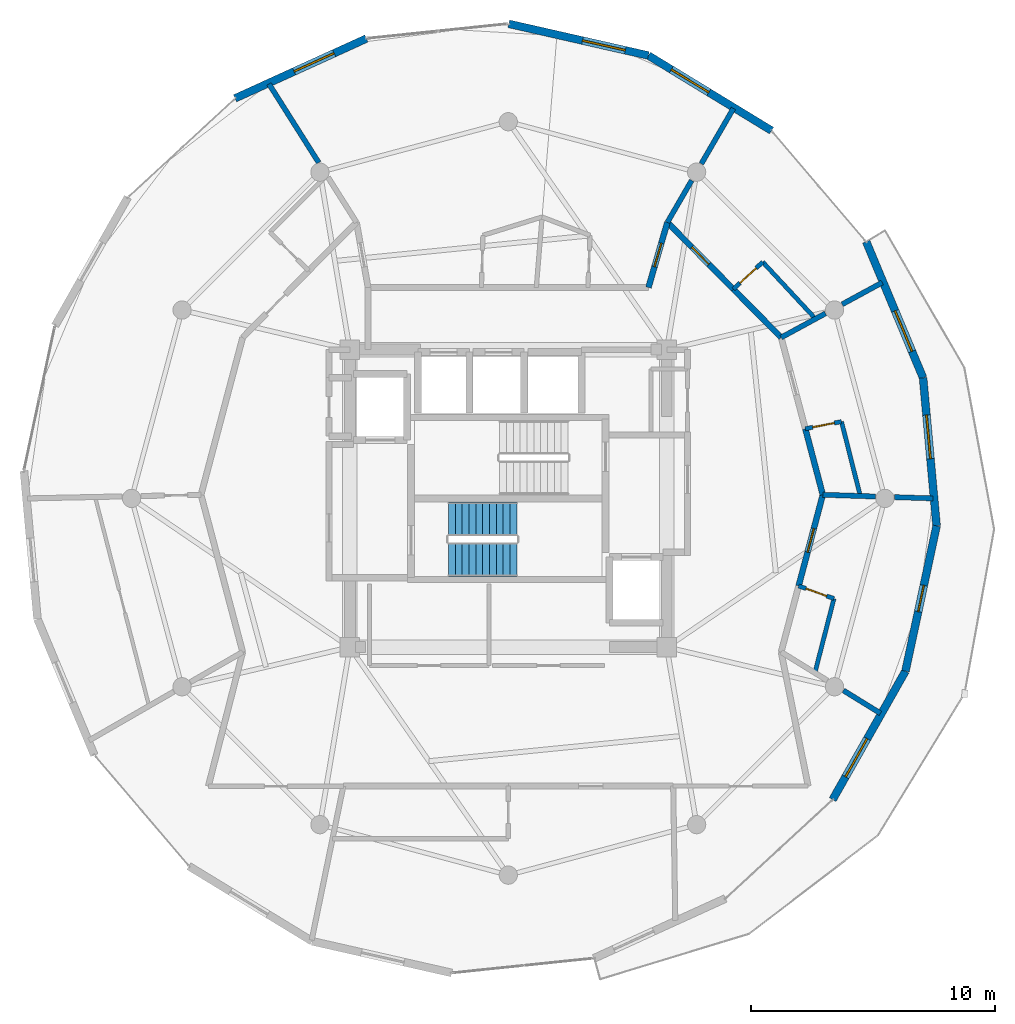
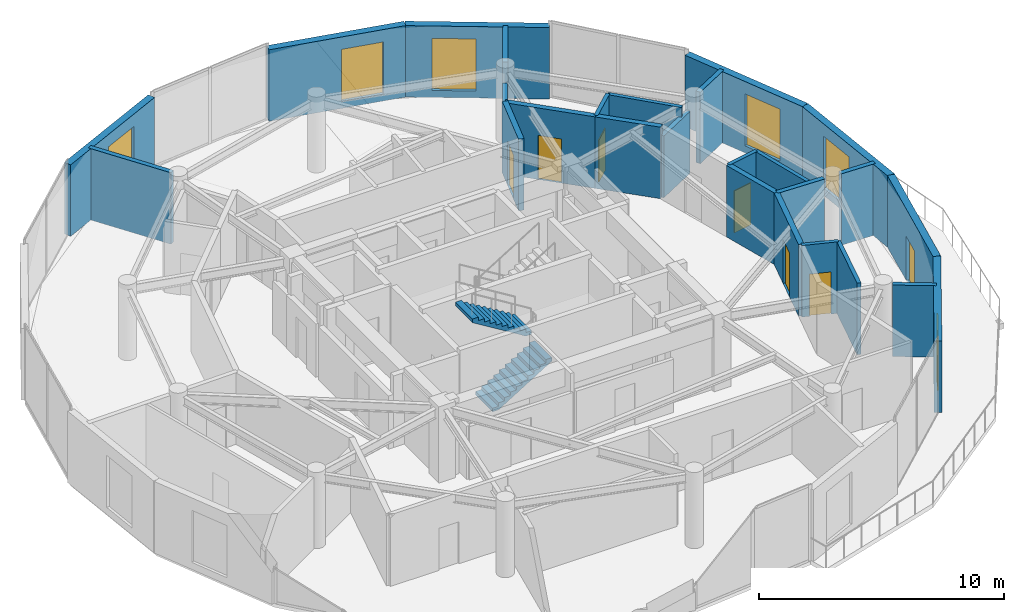
# One storey, part 19 of 22: 26 walls, 7 doors, 6 windows, 2 stair flights, 13 openings, 1 element without a shape of its own.
"""IFC4 building model written with IfcOpenShell, lengths in metres."""

from ifc_helpers import new_model, si_unit, direction, frame, frame_2d, origin, place, context, subcontext, project, spatial, polyline, rectangle, outline, extrude, material, layer, layer_set, type_object, element, fill, aggregate, save


model = new_model("IFC4")

# Units and contexts
model_context = context("Model", 3, precision=1e-05, world=origin(), true_north=direction((0.0, 1.0)))
body_context = subcontext(model_context, "Body", "Model", "MODEL_VIEW")
ifc_project = project(units=[si_unit("LENGTHUNIT", "METRE"), si_unit("AREAUNIT", "SQUARE_METRE"), si_unit("VOLUMEUNIT", "CUBIC_METRE"), si_unit("PLANEANGLEUNIT", "RADIAN"), si_unit("MASSUNIT", "GRAM", prefix="KILO")], contexts=[model_context])

# Site, building, storey
site_placement = place(None, origin())
site = spatial("IfcSite", under=ifc_project, at=site_placement, CompositionType="ELEMENT")
building_placement = place(site_placement, origin())
building = spatial("IfcBuilding", under=site, at=building_placement, Name="Solvirekh Grand Hotel", CompositionType="ELEMENT")
storey_placement = place(building_placement, frame((0.0, 0.0, 289.60009765625)))
storey = spatial("IfcBuildingStorey", under=building, at=storey_placement, Name="L75", CompositionType="ELEMENT", Elevation=289.60009765625)

# Wall, opening, window
ifc_material_1 = material(Name="Precast concrete C45/55", Category="concrete")
ifc_layer_1 = layer(ifc_material_1, 0.320068359375)
ifc_layer_set_1 = layer_set([ifc_layer_1], Name="Precast concrete C45/55")
wall_type_1 = type_object("IfcWallType", Name="ExtLobbyWall_RC320", PredefinedType="SOLIDWALL", material=ifc_layer_set_1)
wall_1_placement = place(storey_placement, frame((16.2890625, -7.0849609375, 0.0), z_axis=(0.0, 0.0, 1.0), x_axis=(-0.493134681356, -0.869952979214, 0.0)))
wall_1 = element("IfcWall", 1, at=wall_1_placement, inside=storey, type_object=wall_type_1, Name="L75 exterior structural wall chord 4", PredefinedType="SOLIDWALL", context=body_context, shape_type="SweptSolid", body=[
    extrude(rectangle(XDim=6.05322265625, YDim=0.320068359375, at=frame_2d((3.026611328125, 0.0))), origin(), (0.0, 0.0, 1.0), 3.56982421875),
])
opening_1_placement = place(wall_1_placement, frame((3.180908203125, 0.0, 0.35009765625)))
opening_1 = element("IfcOpeningElement", 2, at=opening_1_placement, cuts=wall_1, Name="Opening W02", PredefinedType="OPENING", context=body_context, shape_type="SweptSolid", body=[
    extrude(rectangle(XDim=1.800048828125, YDim=2.60009765625, at=frame_2d((0.89990234375, 1.300048828125))), frame((0.0, 0.169921875, 0.0), z_axis=(0.0, -1.0, 0.0), x_axis=(1.0, 0.0, 0.0)), (0.0, 0.0, 1.0), 0.340087890625),
])
ifc_material_2 = material(Name="Low-E Tinted Bronze Laminated Glass", Category="aluminium")
window_type = type_object("IfcWindowType", Name="Win_LobbyExt_1800X2600", PartitioningType="SINGLE_PANEL", PredefinedType="WINDOW", material=ifc_material_2)
window_1_placement = place(opening_1_placement, origin())
window_1 = element("IfcWindow", 3, at=window_1_placement, inside=storey, type_object=window_type, Name="L75 panoramic bronze-framed window 4", OverallHeight=2.60009765625, OverallWidth=1.800048828125, PartitioningType="SINGLE_PANEL", PredefinedType="WINDOW", context=body_context, shape_type="SweptSolid", body=[
    extrude(rectangle(XDim=1.800048828125, YDim=2.60009765625, at=frame_2d((0.89990234375, 1.300048828125))), frame((0.0, 0.030029296875, 0.0), z_axis=(0.0, -1.0, 0.0), x_axis=(1.0, 0.0, 0.0)), (0.0, 0.0, 1.0), 0.06005859375),
])
fill(opening_1, window_1)

# Wall, opening, door
wall_2_placement = place(storey_placement, frame((17.56591796875, -1.125, 0.0), z_axis=(0.0, 0.0, 1.0), x_axis=(-0.209485321593, -0.977811791725, 0.0)))
wall_2 = element("IfcWall", 4, at=wall_2_placement, inside=storey, type_object=wall_type_1, Name="L75 exterior structural wall chord 5", PredefinedType="SOLIDWALL", context=body_context, shape_type="SweptSolid", body=[
    extrude(rectangle(XDim=6.09521484375, YDim=0.320068359375, at=frame_2d((3.047607421875, 0.0))), origin(), (0.0, 0.0, 1.0), 3.56982421875),
])
opening_2_placement = place(wall_2_placement, frame((2.498046875, 0.0, 0.0)))
opening_2 = element("IfcOpeningElement", 5, at=opening_2_placement, cuts=wall_2, Name="Opening D03", PredefinedType="OPENING", context=body_context, shape_type="SweptSolid", body=[
    extrude(rectangle(XDim=1.10009765625, YDim=2.199951171875, at=frame_2d((0.550048828125, 1.10009765625))), frame((0.0, 0.169921875, 0.0), z_axis=(0.0, -1.0, 0.0), x_axis=(1.0, 0.0, 0.0)), (0.0, 0.0, 1.0), 0.340087890625),
])
ifc_material_3 = material(Name="Anodized Bronze Aluminium 6063-T6", Category="aluminium")
door_type_1 = type_object("IfcDoorType", Name="Door_ExtBalcony_1100X2200", OperationType="NOTDEFINED", PredefinedType="DOOR", material=ifc_material_3)
door_1_placement = place(opening_2_placement, origin())
door_1 = element("IfcDoor", 6, at=door_1_placement, inside=storey, type_object=door_type_1, Name="L75 Crescent balcony glazed door (5)", OperationType="SINGLE_SWING_LEFT", OverallHeight=2.199951171875, OverallWidth=1.10009765625, PredefinedType="DOOR", context=body_context, shape_type="SweptSolid", body=[
    extrude(rectangle(XDim=1.10009765625, YDim=2.199951171875, at=frame_2d((0.550048828125, 1.10009765625))), frame((0.0, 0.02490234375, 0.0), z_axis=(0.0, -1.0, 0.0), x_axis=(1.0, 0.0, 0.0)), (0.0, 0.0, 1.0), 0.050048828125),
])
fill(opening_2, door_1)

# Wall, opening, window
wall_3_placement = place(storey_placement, frame((17.011962890625, 4.945068359375, 0.0), z_axis=(0.0, 0.0, 1.0), x_axis=(0.090882437135, -0.99586162825, 0.0)))
wall_3 = element("IfcWall", 7, at=wall_3_placement, inside=storey, type_object=wall_type_1, Name="L75 exterior structural wall chord 6", PredefinedType="SOLIDWALL", context=body_context, shape_type="SweptSolid", body=[
    extrude(rectangle(XDim=6.09521484375, YDim=0.320068359375, at=frame_2d((3.047607421875, 0.0))), origin(), (0.0, 0.0, 1.0), 3.56982421875),
])
opening_3_placement = place(wall_3_placement, frame((1.531005859375, 0.0, 0.35009765625)))
opening_3 = element("IfcOpeningElement", 8, at=opening_3_placement, cuts=wall_3, Name="Opening W02", PredefinedType="OPENING", context=body_context, shape_type="SweptSolid", body=[
    extrude(rectangle(XDim=1.800048828125, YDim=2.60009765625, at=frame_2d((0.89990234375, 1.300048828125))), frame((0.0, 0.169921875, 0.0), z_axis=(0.0, -1.0, 0.0), x_axis=(1.0, 0.0, 0.0)), (0.0, 0.0, 1.0), 0.340087890625),
])
window_2_placement = place(opening_3_placement, origin())
window_2 = element("IfcWindow", 9, at=window_2_placement, inside=storey, type_object=window_type, Name="L75 panoramic bronze-framed window 6", OverallHeight=2.60009765625, OverallWidth=1.800048828125, PartitioningType="SINGLE_PANEL", PredefinedType="WINDOW", context=body_context, shape_type="SweptSolid", body=[
    extrude(rectangle(XDim=1.800048828125, YDim=2.60009765625, at=frame_2d((0.89990234375, 1.300048828125))), frame((0.0, 0.030029296875, 0.0), z_axis=(0.0, -1.0, 0.0), x_axis=(1.0, 0.0, 0.0)), (0.0, 0.0, 1.0), 0.06005859375),
])
fill(opening_3, window_2)

wall_4_placement = place(storey_placement, frame((14.678955078125, 10.531005859375, 0.0), z_axis=(0.0, 0.0, 1.0), x_axis=(0.385394166941, -0.922752044749, 0.0)))
wall_4 = element("IfcWall", 10, at=wall_4_placement, inside=storey, type_object=wall_type_1, Name="L75 exterior structural wall chord 7", PredefinedType="SOLIDWALL", context=body_context, shape_type="SweptSolid", body=[
    extrude(rectangle(XDim=6.053466796875, YDim=0.320068359375, at=frame_2d((3.02685546875, 0.0))), origin(), (0.0, 0.0, 1.0), 3.56982421875),
])
opening_4_placement = place(wall_4_placement, frame((3.076904296875, 0.0, 0.35009765625)))
opening_4 = element("IfcOpeningElement", 11, at=opening_4_placement, cuts=wall_4, Name="Opening W02", PredefinedType="OPENING", context=body_context, shape_type="SweptSolid", body=[
    extrude(rectangle(XDim=1.800048828125, YDim=2.60009765625, at=frame_2d((0.89990234375, 1.300048828125))), frame((0.0, 0.169921875, 0.0), z_axis=(0.0, -1.0, 0.0), x_axis=(1.0, 0.0, 0.0)), (0.0, 0.0, 1.0), 0.340087890625),
])
window_3_placement = place(opening_4_placement, origin())
window_3 = element("IfcWindow", 12, at=window_3_placement, inside=storey, type_object=window_type, Name="L75 panoramic bronze-framed window 7", OverallHeight=2.60009765625, OverallWidth=1.800048828125, PartitioningType="SINGLE_PANEL", PredefinedType="WINDOW", context=body_context, shape_type="SweptSolid", body=[
    extrude(rectangle(XDim=1.800048828125, YDim=2.60009765625, at=frame_2d((0.89990234375, 1.300048828125))), frame((0.0, 0.030029296875, 0.0), z_axis=(0.0, -1.0, 0.0), x_axis=(1.0, 0.0, 0.0)), (0.0, 0.0, 1.0), 0.06005859375),
])
fill(opening_4, window_3)

wall_5_placement = place(storey_placement, frame((5.74609375, 18.1650390625, 0.0), z_axis=(0.0, 0.0, 1.0), x_axis=(0.853900395315, -0.520436465748, 0.0)))
wall_5 = element("IfcWall", 13, at=wall_5_placement, inside=storey, type_object=wall_type_1, Name="L75 exterior structural wall chord 9", PredefinedType="SOLIDWALL", context=body_context, shape_type="SweptSolid", body=[
    extrude(rectangle(XDim=5.91650390625, YDim=0.320068359375, at=frame_2d((2.958251953125, 0.0))), origin(), (0.0, 0.0, 1.0), 3.56982421875),
])
opening_5_placement = place(wall_5_placement, frame((1.10400390625, 0.0, 0.35009765625)))
opening_5 = element("IfcOpeningElement", 14, at=opening_5_placement, cuts=wall_5, Name="Opening W02", PredefinedType="OPENING", context=body_context, shape_type="SweptSolid", body=[
    extrude(rectangle(XDim=1.800048828125, YDim=2.60009765625, at=frame_2d((0.89990234375, 1.300048828125))), frame((0.0, 0.169921875, 0.0), z_axis=(0.0, -1.0, 0.0), x_axis=(1.0, 0.0, 0.0)), (0.0, 0.0, 1.0), 0.340087890625),
])
window_4_placement = place(opening_5_placement, origin())
window_4 = element("IfcWindow", 15, at=window_4_placement, inside=storey, type_object=window_type, Name="L75 panoramic bronze-framed window 9", OverallHeight=2.60009765625, OverallWidth=1.800048828125, PartitioningType="SINGLE_PANEL", PredefinedType="WINDOW", context=body_context, shape_type="SweptSolid", body=[
    extrude(rectangle(XDim=1.800048828125, YDim=2.60009765625, at=frame_2d((0.89990234375, 1.300048828125))), frame((0.0, 0.030029296875, 0.0), z_axis=(0.0, -1.0, 0.0), x_axis=(1.0, 0.0, 0.0)), (0.0, 0.0, 1.0), 0.06005859375),
])
fill(opening_5, window_4)

wall_6_placement = place(storey_placement, frame((0.02001953125, 19.465087890625, 0.0), z_axis=(0.0, 0.0, 1.0), x_axis=(0.975181843915, -0.221405445504, 0.0)))
wall_6 = element("IfcWall", 16, at=wall_6_placement, inside=storey, type_object=wall_type_1, Name="L75 exterior structural wall chord 10", PredefinedType="SOLIDWALL", context=body_context, shape_type="SweptSolid", body=[
    extrude(rectangle(XDim=5.871826171875, YDim=0.320068359375, at=frame_2d((2.93603515625, 0.0))), origin(), (0.0, 0.0, 1.0), 3.56982421875),
])
opening_6_placement = place(wall_6_placement, frame((3.10205078125, 0.0, 0.35009765625)))
opening_6 = element("IfcOpeningElement", 17, at=opening_6_placement, cuts=wall_6, Name="Opening W02", PredefinedType="OPENING", context=body_context, shape_type="SweptSolid", body=[
    extrude(rectangle(XDim=1.800048828125, YDim=2.60009765625, at=frame_2d((0.89990234375, 1.300048828125))), frame((0.0, 0.169921875, 0.0), z_axis=(0.0, -1.0, 0.0), x_axis=(1.0, 0.0, 0.0)), (0.0, 0.0, 1.0), 0.340087890625),
])
window_5_placement = place(opening_6_placement, origin())
window_5 = element("IfcWindow", 18, at=window_5_placement, inside=storey, type_object=window_type, Name="L75 panoramic bronze-framed window 10", OverallHeight=2.60009765625, OverallWidth=1.800048828125, PartitioningType="SINGLE_PANEL", PredefinedType="WINDOW", context=body_context, shape_type="SweptSolid", body=[
    extrude(rectangle(XDim=1.800048828125, YDim=2.60009765625, at=frame_2d((0.89990234375, 1.300048828125))), frame((0.0, 0.030029296875, 0.0), z_axis=(0.0, -1.0, 0.0), x_axis=(1.0, 0.0, 0.0)), (0.0, 0.0, 1.0), 0.06005859375),
])
fill(opening_6, window_5)

wall_7_placement = place(storey_placement, frame((-11.205078125, 16.408935546875, 0.0), z_axis=(0.0, 0.0, 1.0), x_axis=(0.910118979779, 0.414347007526, 0.0)))
wall_7 = element("IfcWall", 19, at=wall_7_placement, inside=storey, type_object=wall_type_1, Name="L75 exterior structural wall chord 12", PredefinedType="SOLIDWALL", context=body_context, shape_type="SweptSolid", body=[
    extrude(rectangle(XDim=5.915771484375, YDim=0.320068359375, at=frame_2d((2.9580078125, 0.0))), origin(), (0.0, 0.0, 1.0), 3.56982421875),
])
opening_7_placement = place(wall_7_placement, frame((2.6640625, 0.0, 0.35009765625)))
opening_7 = element("IfcOpeningElement", 20, at=opening_7_placement, cuts=wall_7, Name="Opening W02", PredefinedType="OPENING", context=body_context, shape_type="SweptSolid", body=[
    extrude(rectangle(XDim=1.800048828125, YDim=2.60009765625, at=frame_2d((0.89990234375, 1.300048828125))), frame((0.0, 0.169921875, 0.0), z_axis=(0.0, -1.0, 0.0), x_axis=(1.0, 0.0, 0.0)), (0.0, 0.0, 1.0), 0.340087890625),
])
window_6_placement = place(opening_7_placement, origin())
window_6 = element("IfcWindow", 21, at=window_6_placement, inside=storey, type_object=window_type, Name="L75 panoramic bronze-framed window 12", OverallHeight=2.60009765625, OverallWidth=1.800048828125, PartitioningType="SINGLE_PANEL", PredefinedType="WINDOW", context=body_context, shape_type="SweptSolid", body=[
    extrude(rectangle(XDim=1.800048828125, YDim=2.60009765625, at=frame_2d((0.89990234375, 1.300048828125))), frame((0.0, 0.030029296875, 0.0), z_axis=(0.0, -1.0, 0.0), x_axis=(1.0, 0.0, 0.0)), (0.0, 0.0, 1.0), 0.06005859375),
])
fill(opening_7, window_6)

# Wall, opening, door
ifc_material_4 = material(Name="Acoustic Gypsum Partition Assembly")
ifc_layer_2 = layer(ifc_material_4, 0.239990234375)
ifc_layer_set_2 = layer_set([ifc_layer_2], Name="Acoustic Gypsum Partition Assembly")
wall_type_2 = type_object("IfcWallType", Name="Part_Corridor_240", PredefinedType="PARTITIONING", material=ifc_layer_set_2)
wall_8_placement = place(storey_placement, frame((5.75, 8.64990234375, 0.0), z_axis=(0.0, 0.0, 1.0), x_axis=(0.27852040308, 0.960430312448, 0.0)))
wall_8 = element("IfcWall", 22, at=wall_8_placement, inside=storey, type_object=wall_type_2, Name="L75 Deluxe Guestroom 7701 entrance wall", PredefinedType="PARTITIONING", context=body_context, shape_type="SweptSolid", body=[
    extrude(rectangle(XDim=2.7822265625, YDim=0.239990234375, at=frame_2d((1.39111328125, 0.0))), origin(), (0.0, 0.0, 1.0), 3.56982421875),
])
opening_8_placement = place(wall_8_placement, frame((0.89111328125, 0.0, 0.0)))
opening_8 = element("IfcOpeningElement", 23, at=opening_8_placement, cuts=wall_8, Name="Opening D07", PredefinedType="OPENING", context=body_context, shape_type="SweptSolid", body=[
    extrude(rectangle(XDim=1.0, YDim=2.199951171875, at=frame_2d((0.5, 1.10009765625))), frame((0.0, 0.1298828125, 0.0), z_axis=(0.0, -1.0, 0.0), x_axis=(1.0, 0.0, 0.0)), (0.0, 0.0, 1.0), 0.260009765625),
])
ifc_material_5 = material(Name="Fire-Rated Steel Door Assembly", Category="steel")
door_type_2 = type_object("IfcDoorType", Name="Door_GuestEntry_1000X2200", OperationType="NOTDEFINED", PredefinedType="DOOR", material=ifc_material_5)
door_2_placement = place(opening_8_placement, origin())
door_2 = element("IfcDoor", 24, at=door_2_placement, inside=storey, type_object=door_type_2, Name="L75 Deluxe Guestroom 7701 entrance door", OperationType="SINGLE_SWING_RIGHT", OverallHeight=2.199951171875, OverallWidth=1.0, PredefinedType="DOOR", context=body_context, shape_type="SweptSolid", body=[
    extrude(rectangle(XDim=1.0, YDim=2.199951171875, at=frame_2d((0.5, 1.10009765625))), frame((0.0, 0.02490234375, 0.0), z_axis=(0.0, -1.0, 0.0), x_axis=(1.0, 0.0, 0.0)), (0.0, 0.0, 1.0), 0.050048828125),
])
fill(opening_8, door_2)

wall_9_placement = place(storey_placement, frame((11.908935546875, -3.591064453125, 0.0), z_axis=(0.0, 0.0, 1.0), x_axis=(0.256064218317, 0.96665977267, 0.0)))
wall_9 = element("IfcWall", 25, at=wall_9_placement, inside=storey, type_object=wall_type_2, Name="L75 Deluxe Guestroom 7704 entrance wall", PredefinedType="PARTITIONING", context=body_context, shape_type="SweptSolid", body=[
    extrude(rectangle(XDim=3.869873046875, YDim=0.239990234375, at=frame_2d((1.93505859375, 0.0))), origin(), (0.0, 0.0, 1.0), 3.56982421875),
])
opening_9_placement = place(wall_9_placement, frame((1.43505859375, 0.0, 0.0)))
opening_9 = element("IfcOpeningElement", 26, at=opening_9_placement, cuts=wall_9, Name="Opening D07", PredefinedType="OPENING", context=body_context, shape_type="SweptSolid", body=[
    extrude(rectangle(XDim=1.0, YDim=2.199951171875, at=frame_2d((0.5, 1.10009765625))), frame((0.0, 0.1298828125, 0.0), z_axis=(0.0, -1.0, 0.0), x_axis=(1.0, 0.0, 0.0)), (0.0, 0.0, 1.0), 0.260009765625),
])
door_3_placement = place(opening_9_placement, origin())
door_3 = element("IfcDoor", 27, at=door_3_placement, inside=storey, type_object=door_type_2, Name="L75 Deluxe Guestroom 7704 entrance door", OperationType="SINGLE_SWING_RIGHT", OverallHeight=2.199951171875, OverallWidth=1.0, PredefinedType="DOOR", context=body_context, shape_type="SweptSolid", body=[
    extrude(rectangle(XDim=1.0, YDim=2.199951171875, at=frame_2d((0.5, 1.10009765625))), frame((0.0, 0.02490234375, 0.0), z_axis=(0.0, -1.0, 0.0), x_axis=(1.0, 0.0, 0.0)), (0.0, 0.0, 1.0), 0.050048828125),
])
fill(opening_9, door_3)

# Walls
wall_10_placement = place(storey_placement, frame((12.89990234375, 0.14990234375, 0.0), z_axis=(0.0, 0.0, 1.0), x_axis=(-0.255796771697, 0.966730578594, 0.0)))
element("IfcWall", 28, at=wall_10_placement, inside=storey, type_object=wall_type_2, Name="L75 En-suite Bathroom 7705 corridor backing wall", PredefinedType="PARTITIONING", context=body_context, shape_type="SweptSolid", body=[
    extrude(rectangle(XDim=2.80224609375, YDim=0.239990234375, at=frame_2d((1.401123046875, 0.0))), origin(), (0.0, 0.0, 1.0), 3.56982421875),
])
wall_11_placement = place(storey_placement, frame((11.19189453125, 6.60009765625, 0.0), z_axis=(0.0, 0.0, 1.0), x_axis=(-0.702979205765, 0.711210402245, 0.0)))
element("IfcWall", 29, at=wall_11_placement, inside=storey, type_object=wall_type_2, Name="L75 En-suite Bathroom 7706 corridor backing wall", PredefinedType="PARTITIONING", context=body_context, shape_type="SweptSolid", body=[
    extrude(rectangle(XDim=2.7880859375, YDim=0.239990234375, at=frame_2d((1.39404296875, 0.0))), origin(), (0.0, 0.0, 1.0), 3.56982421875),
])

# Wall, opening, door
wall_12_placement = place(storey_placement, frame((9.23193359375, 8.5830078125, 0.0), z_axis=(0.0, 0.0, 1.0), x_axis=(-0.702942107486, 0.711247069254, 0.0)))
wall_12 = element("IfcWall", 30, at=wall_12_placement, inside=storey, type_object=wall_type_2, Name="L75 Deluxe Guestroom 7706 entrance wall", PredefinedType="PARTITIONING", context=body_context, shape_type="SweptSolid", body=[
    extrude(rectangle(XDim=3.85107421875, YDim=0.239990234375, at=frame_2d((1.925537109375, 0.0))), origin(), (0.0, 0.0, 1.0), 3.56982421875),
])
opening_10_placement = place(wall_12_placement, frame((1.425048828125, 0.0, 0.0)))
opening_10 = element("IfcOpeningElement", 31, at=opening_10_placement, cuts=wall_12, Name="Opening D07", PredefinedType="OPENING", context=body_context, shape_type="SweptSolid", body=[
    extrude(rectangle(XDim=1.0, YDim=2.199951171875, at=frame_2d((0.5, 1.10009765625))), frame((0.0, 0.1298828125, 0.0), z_axis=(0.0, -1.0, 0.0), x_axis=(1.0, 0.0, 0.0)), (0.0, 0.0, 1.0), 0.260009765625),
])
door_4_placement = place(opening_10_placement, origin())
door_4 = element("IfcDoor", 32, at=door_4_placement, inside=storey, type_object=door_type_2, Name="L75 Deluxe Guestroom 7706 entrance door", OperationType="SINGLE_SWING_RIGHT", OverallHeight=2.199951171875, OverallWidth=1.0, PredefinedType="DOOR", context=body_context, shape_type="SweptSolid", body=[
    extrude(rectangle(XDim=1.0, YDim=2.199951171875, at=frame_2d((0.5, 1.10009765625))), frame((0.0, 0.02490234375, 0.0), z_axis=(0.0, -1.0, 0.0), x_axis=(1.0, 0.0, 0.0)), (0.0, 0.0, 1.0), 0.050048828125),
])
fill(opening_10, door_4)

# Walls
ifc_layer_3 = layer(ifc_material_4, 0.2099609375)
ifc_layer_set_3 = layer_set([ifc_layer_3], Name="Acoustic Gypsum Partition Assembly")
wall_type_3 = type_object("IfcWallType", Name="Part_SuiteDemise_210", PredefinedType="PARTITIONING", material=ifc_layer_set_3)
wall_13_placement = place(storey_placement, frame((12.89990234375, 0.14990234375, 0.0), z_axis=(0.0, 0.0, 1.0), x_axis=(0.999446158263, -0.033277270507, 0.0)))
element("IfcWall", 33, at=wall_13_placement, inside=storey, type_object=wall_type_3, Name="L75 suite radial wall 1 (A)", PredefinedType="PARTITIONING", context=body_context, shape_type="SweptSolid", body=[
    extrude(rectangle(XDim=2.164306640625, YDim=0.2099609375, at=frame_2d((1.08203125, 0.0))), origin(), (0.0, 0.0, 1.0), 3.56982421875),
])
wall_14_placement = place(storey_placement, frame((15.842041015625, 0.052001953125, 0.0), z_axis=(0.0, 0.0, 1.0), x_axis=(0.999459540267, -0.032872897171, 0.0)))
element("IfcWall", 34, at=wall_14_placement, inside=storey, type_object=wall_type_3, Name="L75 suite radial wall 1 (B)", PredefinedType="PARTITIONING", context=body_context, shape_type="SweptSolid", body=[
    extrude(rectangle(XDim=1.58203125, YDim=0.2099609375, at=frame_2d((0.791015625, 0.0))), origin(), (0.0, 0.0, 1.0), 3.56982421875),
])
wall_15_placement = place(storey_placement, frame((11.19189453125, 6.60009765625, 0.0), z_axis=(0.0, 0.0, 1.0), x_axis=(0.878580364195, 0.477594538967, 0.0)))
element("IfcWall", 35, at=wall_15_placement, inside=storey, type_object=wall_type_3, Name="L75 suite radial wall 2 (A)", PredefinedType="PARTITIONING", context=body_context, shape_type="SweptSolid", body=[
    extrude(rectangle(XDim=2.068359375, YDim=0.2099609375, at=frame_2d((1.0341796875, 0.0))), origin(), (0.0, 0.0, 1.0), 3.0849609375),
])
wall_16_placement = place(storey_placement, frame((13.696044921875, 7.9619140625, 0.0), z_axis=(0.0, 0.0, 1.0), x_axis=(0.878434786157, 0.477862246333, 0.0)))
element("IfcWall", 36, at=wall_16_placement, inside=storey, type_object=wall_type_3, Name="L75 suite radial wall 2 (B)", PredefinedType="PARTITIONING", context=body_context, shape_type="SweptSolid", body=[
    extrude(rectangle(XDim=1.866943359375, YDim=0.2099609375, at=frame_2d((0.93359375, 0.0))), origin(), (0.0, 0.0, 1.0), 3.56982421875),
])
wall_17_placement = place(storey_placement, frame((6.52490234375, 11.322021484375, 0.0), z_axis=(0.0, 0.0, 1.0), x_axis=(0.501738314133, 0.865019458817, 0.0)))
element("IfcWall", 37, at=wall_17_placement, inside=storey, type_object=wall_type_3, Name="L75 suite radial wall 3 (A)", PredefinedType="PARTITIONING", context=body_context, shape_type="SweptSolid", body=[
    extrude(rectangle(XDim=1.9873046875, YDim=0.2099609375, at=frame_2d((0.99365234375, 0.0))), origin(), (0.0, 0.0, 1.0), 3.0849609375),
])
wall_18_placement = place(storey_placement, frame((7.91796875, 13.72509765625, 0.0), z_axis=(0.0, 0.0, 1.0), x_axis=(0.501605190626, 0.865096660921, 0.0)))
element("IfcWall", 38, at=wall_18_placement, inside=storey, type_object=wall_type_3, Name="L75 suite radial wall 3 (B)", PredefinedType="PARTITIONING", context=body_context, shape_type="SweptSolid", body=[
    extrude(rectangle(XDim=2.62158203125, YDim=0.2099609375, at=frame_2d((1.310791015625, 0.0))), origin(), (0.0, 0.0, 1.0), 3.56982421875),
])
wall_19_placement = place(storey_placement, frame((-7.77392578125, 13.77197265625, 0.0), z_axis=(0.0, 0.0, 1.0), x_axis=(-0.534464578877, 0.845190874256, 0.0)))
element("IfcWall", 39, at=wall_19_placement, inside=storey, type_object=wall_type_3, Name="L75 suite radial wall 5 (B)", PredefinedType="PARTITIONING", context=body_context, shape_type="SweptSolid", body=[
    extrude(rectangle(XDim=3.81689453125, YDim=0.2099609375, at=frame_2d((1.908447265625, 0.0))), origin(), (0.0, 0.0, 1.0), 3.56982421875),
])
wall_20_placement = place(storey_placement, frame((13.7451171875, -7.8759765625, 0.0), z_axis=(0.0, 0.0, 1.0), x_axis=(0.851065929173, -0.525058838799, 0.0)))
element("IfcWall", 40, at=wall_20_placement, inside=storey, type_object=wall_type_3, Name="L75 suite radial wall 12 (B)", PredefinedType="PARTITIONING", context=body_context, shape_type="SweptSolid", body=[
    extrude(rectangle(XDim=1.78466796875, YDim=0.2099609375, at=frame_2d((0.892333984375, 0.0))), origin(), (0.0, 0.0, 1.0), 3.56982421875),
])
ifc_layer_4 = layer(ifc_material_4, 0.175048828125)
ifc_layer_set_4 = layer_set([ifc_layer_4], Name="Acoustic Gypsum Partition Assembly")
wall_type_4 = type_object("IfcWallType", Name="Plumb_Ensuite_175", PredefinedType="PLUMBINGWALL", material=ifc_layer_set_4)
wall_21_placement = place(storey_placement, frame((12.575927734375, -7.154052734375, 0.0), z_axis=(0.0, 0.0, 1.0), x_axis=(0.248649895868, 0.968593428268, 0.0)))
element("IfcWall", 41, at=wall_21_placement, inside=storey, type_object=wall_type_4, Name="L75 En-suite Bathroom 7704 outer plumbing wall", PredefinedType="PLUMBINGWALL", context=body_context, shape_type="SweptSolid", body=[
    extrude(rectangle(XDim=3.14501953125, YDim=0.175048828125, at=frame_2d((1.572509765625, 0.0))), origin(), (0.0, 0.0, 1.0), 3.56982421875),
])

# Wall, opening, door
wall_22_placement = place(storey_placement, frame((11.908935546875, -3.591064453125, 0.0), z_axis=(0.0, 0.0, 1.0), x_axis=(0.941874685166, -0.335964399073, 0.0)))
wall_22 = element("IfcWall", 42, at=wall_22_placement, inside=storey, type_object=wall_type_4, Name="L75 En-suite Bathroom 7704 entry plumbing wall", PredefinedType="PLUMBINGWALL", context=body_context, shape_type="SweptSolid", body=[
    extrude(rectangle(XDim=1.538330078125, YDim=0.175048828125, at=frame_2d((0.76904296875, 0.0))), origin(), (0.0, 0.0, 1.0), 3.56982421875),
])
opening_11_placement = place(wall_22_placement, frame((0.319091796875, 0.0, 0.0)))
opening_11 = element("IfcOpeningElement", 43, at=opening_11_placement, cuts=wall_22, Name="Opening D09", PredefinedType="OPENING", context=body_context, shape_type="SweptSolid", body=[
    extrude(rectangle(XDim=0.89990234375, YDim=2.10009765625, at=frame_2d((0.449951171875, 1.050048828125))), frame((0.0, 0.09765625, 0.0), z_axis=(0.0, -1.0, 0.0), x_axis=(1.0, 0.0, 0.0)), (0.0, 0.0, 1.0), 0.195068359375),
])
door_type_3 = type_object("IfcDoorType", Name="Door_Ensuite_900X2100", OperationType="NOTDEFINED", PredefinedType="DOOR", material=ifc_material_3)
door_5_placement = place(opening_11_placement, origin())
door_5 = element("IfcDoor", 44, at=door_5_placement, inside=storey, type_object=door_type_3, Name="L75 En-suite Bathroom 7704 door", OperationType="SINGLE_SWING_LEFT", OverallHeight=2.10009765625, OverallWidth=0.89990234375, PredefinedType="DOOR", context=body_context, shape_type="SweptSolid", body=[
    extrude(rectangle(XDim=0.89990234375, YDim=2.10009765625, at=frame_2d((0.449951171875, 1.050048828125))), frame((0.0, 0.02490234375, 0.0), z_axis=(0.0, -1.0, 0.0), x_axis=(1.0, 0.0, 0.0)), (0.0, 0.0, 1.0), 0.050048828125),
])
fill(opening_11, door_5)

# Wall
wall_23_placement = place(storey_placement, frame((14.43798828125, 0.09912109375, 0.0), z_axis=(0.0, 0.0, 1.0), x_axis=(-0.245235496537, 0.969463537859, 0.0)))
element("IfcWall", 45, at=wall_23_placement, inside=storey, type_object=wall_type_4, Name="L75 En-suite Bathroom 7705 outer plumbing wall", PredefinedType="PLUMBINGWALL", context=body_context, shape_type="SweptSolid", body=[
    extrude(rectangle(XDim=3.14794921875, YDim=0.175048828125, at=frame_2d((1.573974609375, 0.0))), origin(), (0.0, 0.0, 1.0), 3.56982421875),
])

# Wall, opening, door
wall_24_placement = place(storey_placement, frame((12.18310546875, 2.85888671875, 0.0), z_axis=(0.0, 0.0, 1.0), x_axis=(0.981160337134, 0.193195219495, 0.0)))
wall_24 = element("IfcWall", 46, at=wall_24_placement, inside=storey, type_object=wall_type_4, Name="L75 En-suite Bathroom 7705 entry plumbing wall", PredefinedType="PLUMBINGWALL", context=body_context, shape_type="SweptSolid", body=[
    extrude(rectangle(XDim=1.511474609375, YDim=0.175048828125, at=frame_2d((0.755859375, 0.0))), origin(), (0.0, 0.0, 1.0), 3.56982421875),
])
opening_12_placement = place(wall_24_placement, frame((0.305908203125, 0.0, 0.0)))
opening_12 = element("IfcOpeningElement", 47, at=opening_12_placement, cuts=wall_24, Name="Opening D09", PredefinedType="OPENING", context=body_context, shape_type="SweptSolid", body=[
    extrude(rectangle(XDim=0.89990234375, YDim=2.10009765625, at=frame_2d((0.449951171875, 1.050048828125))), frame((0.0, 0.09765625, 0.0), z_axis=(0.0, -1.0, 0.0), x_axis=(1.0, 0.0, 0.0)), (0.0, 0.0, 1.0), 0.195068359375),
])
door_6_placement = place(opening_12_placement, origin())
door_6 = element("IfcDoor", 48, at=door_6_placement, inside=storey, type_object=door_type_3, Name="L75 En-suite Bathroom 7705 door", OperationType="SINGLE_SWING_LEFT", OverallHeight=2.10009765625, OverallWidth=0.89990234375, PredefinedType="DOOR", context=body_context, shape_type="SweptSolid", body=[
    extrude(rectangle(XDim=0.89990234375, YDim=2.10009765625, at=frame_2d((0.449951171875, 1.050048828125))), frame((0.0, 0.02490234375, 0.0), z_axis=(0.0, -1.0, 0.0), x_axis=(1.0, 0.0, 0.0)), (0.0, 0.0, 1.0), 0.050048828125),
])
fill(opening_12, door_6)

# Wall
wall_25_placement = place(storey_placement, frame((12.60107421875, 7.365966796875, 0.0), z_axis=(0.0, 0.0, 1.0), x_axis=(-0.680992876569, 0.732290039576, 0.0)))
element("IfcWall", 49, at=wall_25_placement, inside=storey, type_object=wall_type_4, Name="L75 En-suite Bathroom 7706 outer plumbing wall", PredefinedType="PLUMBINGWALL", context=body_context, shape_type="SweptSolid", body=[
    extrude(rectangle(XDim=3.17919921875, YDim=0.175048828125, at=frame_2d((1.589599609375, 0.0))), origin(), (0.0, 0.0, 1.0), 3.56982421875),
])

# Wall, opening, door
wall_26_placement = place(storey_placement, frame((9.23193359375, 8.5830078125, 0.0), z_axis=(0.0, 0.0, 1.0), x_axis=(0.734923403839, 0.678150123859, 0.0)))
wall_26 = element("IfcWall", 50, at=wall_26_placement, inside=storey, type_object=wall_type_4, Name="L75 En-suite Bathroom 7706 entry plumbing wall", PredefinedType="PLUMBINGWALL", context=body_context, shape_type="SweptSolid", body=[
    extrude(rectangle(XDim=1.638427734375, YDim=0.175048828125, at=frame_2d((0.8193359375, 0.0))), origin(), (0.0, 0.0, 1.0), 3.56982421875),
])
opening_13_placement = place(wall_26_placement, frame((0.368896484375, 0.0, 0.0)))
opening_13 = element("IfcOpeningElement", 51, at=opening_13_placement, cuts=wall_26, Name="Opening D09", PredefinedType="OPENING", context=body_context, shape_type="SweptSolid", body=[
    extrude(rectangle(XDim=0.89990234375, YDim=2.10009765625, at=frame_2d((0.449951171875, 1.050048828125))), frame((0.0, 0.09765625, 0.0), z_axis=(0.0, -1.0, 0.0), x_axis=(1.0, 0.0, 0.0)), (0.0, 0.0, 1.0), 0.195068359375),
])
door_7_placement = place(opening_13_placement, origin())
door_7 = element("IfcDoor", 52, at=door_7_placement, inside=storey, type_object=door_type_3, Name="L75 En-suite Bathroom 7706 door", OperationType="SINGLE_SWING_LEFT", OverallHeight=2.10009765625, OverallWidth=0.89990234375, PredefinedType="DOOR", context=body_context, shape_type="SweptSolid", body=[
    extrude(rectangle(XDim=0.89990234375, YDim=2.10009765625, at=frame_2d((0.449951171875, 1.050048828125))), frame((0.0, 0.02490234375, 0.0), z_axis=(0.0, -1.0, 0.0), x_axis=(1.0, 0.0, 0.0)), (0.0, 0.0, 1.0), 0.050048828125),
])
fill(opening_13, door_7)

# Stair, stair flights
ifc_material_6 = material(Name="Concrete C40/50", Category="concrete")
stair_type = type_object("IfcStairType", Name="Stair_Core_1450", PredefinedType="HALF_TURN_STAIR", material=ifc_material_6)
stair_placement = place(storey_placement, origin())
stair = element("IfcStair", 53, at=stair_placement, inside=storey, type_object=stair_type, Name="L75 Enclosed exit stair ST-1", PredefinedType="HALF_TURN_STAIR")
stair_flight_type = type_object("IfcStairFlightType", Name="Flight_Core_1450", PredefinedType="STRAIGHT", material=ifc_material_6)
stair_flight_1_placement = place(storey_placement, frame((-2.449951171875, -2.5, 0.0), z_axis=(0.0, 0.0, 1.0), x_axis=(1.0, 0.0, 0.0)))
stair_flight_1 = element("IfcStairFlight", 54, at=stair_flight_1_placement, type_object=stair_flight_type, Name="ST-1 flight 1", NumberOfRisers=11, NumberOfTreads=10, PredefinedType="STRAIGHT", RiserHeight=0.172727273, TreadLength=0.28, context=body_context, shape_type="SweptSolid", body=[
    extrude(outline(polyline([(0.0, 0.0), (0.0, 0.172607421875), (0.280029296875, 0.172607421875), (0.280029296875, 0.345458984375), (0.56005859375, 0.345458984375), (0.56005859375, 0.51806640625), (0.840087890625, 0.51806640625), (0.840087890625, 0.69091796875), (1.1201171875, 0.69091796875), (1.1201171875, 0.863525390625), (1.39990234375, 0.863525390625), (1.39990234375, 1.036376953125), (1.679931640625, 1.036376953125), (1.679931640625, 1.208984375), (1.9599609375, 1.208984375), (1.9599609375, 1.3818359375), (2.239990234375, 1.3818359375), (2.239990234375, 1.554443359375), (2.52001953125, 1.554443359375), (2.52001953125, 1.727294921875), (2.800048828125, 1.727294921875), (2.800048828125, 1.89990234375), (2.800048828125, 1.551025390625), (0.285400390625, 0.0), (0.0, 0.0)])), frame((0.0, 0.699951171875, 0.0), z_axis=(0.0, -1.0, 0.0), x_axis=(1.0, 0.0, 0.0)), (0.0, 0.0, 1.0), 1.39990234375),
])
stair_flight_2_placement = place(storey_placement, frame((0.35009765625, -0.85009765625, 1.89990234375), z_axis=(0.0, 0.0, 1.0), x_axis=(-1.0, 0.0, 0.0)))
stair_flight_2 = element("IfcStairFlight", 55, at=stair_flight_2_placement, type_object=stair_flight_type, Name="ST-1 flight 2", NumberOfRisers=11, NumberOfTreads=10, PredefinedType="STRAIGHT", RiserHeight=0.172727273, TreadLength=0.28, context=body_context, shape_type="SweptSolid", body=[
    extrude(outline(polyline([(0.0, 0.0), (0.0, 0.172607421875), (0.280029296875, 0.172607421875), (0.280029296875, 0.345458984375), (0.56005859375, 0.345458984375), (0.56005859375, 0.51806640625), (0.840087890625, 0.51806640625), (0.840087890625, 0.69091796875), (1.1201171875, 0.69091796875), (1.1201171875, 0.863525390625), (1.39990234375, 0.863525390625), (1.39990234375, 1.036376953125), (1.679931640625, 1.036376953125), (1.679931640625, 1.208984375), (1.9599609375, 1.208984375), (1.9599609375, 1.3818359375), (2.239990234375, 1.3818359375), (2.239990234375, 1.554443359375), (2.52001953125, 1.554443359375), (2.52001953125, 1.727294921875), (2.800048828125, 1.727294921875), (2.800048828125, 1.89990234375), (2.800048828125, 1.551025390625), (0.285400390625, 0.0), (0.0, 0.0)])), frame((0.0, 0.699951171875, 0.0), z_axis=(0.0, -1.0, 0.0), x_axis=(1.0, 0.0, 0.0)), (0.0, 0.0, 1.0), 1.39990234375),
])
aggregate(stair, [stair_flight_1, stair_flight_2])

save(model, "model.ifc")
